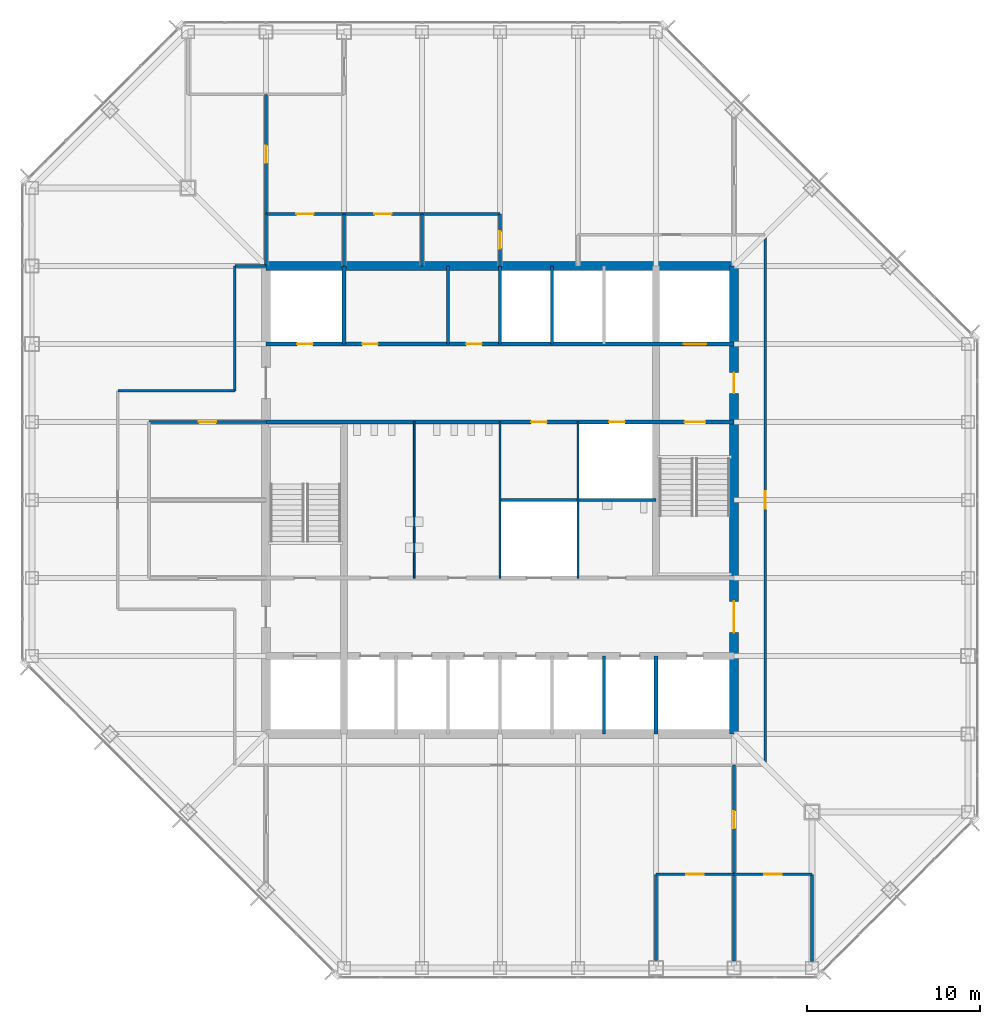
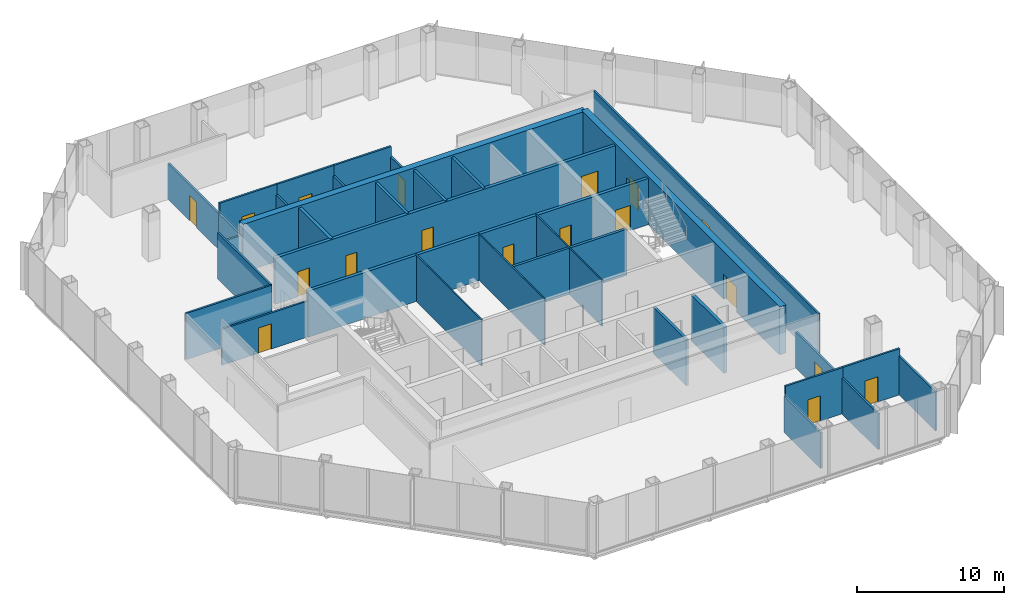
# One storey, part 9 of 12: 33 walls, 18 doors, 18 openings.
"""IFC4 building model written with IfcOpenShell, lengths in metres."""

from ifc_helpers import new_model, si_unit, direction, frame, frame_2d, origin, place, context, subcontext, project, spatial, rectangle, extrude, material, layer, layer_set, type_object, element, fill, save


model = new_model("IFC4")

# Units and contexts
model_context = context("Model", 3, precision=1e-05, world=origin(), true_north=direction((0.0, 1.0)))
body_context = subcontext(model_context, "Body", "Model", "MODEL_VIEW")
ifc_project = project(units=[si_unit("LENGTHUNIT", "METRE"), si_unit("AREAUNIT", "SQUARE_METRE"), si_unit("VOLUMEUNIT", "CUBIC_METRE"), si_unit("PLANEANGLEUNIT", "RADIAN"), si_unit("MASSUNIT", "GRAM", prefix="KILO")], contexts=[model_context])

# Site, building, storey
site_placement = place(None, origin())
site = spatial("IfcSite", under=ifc_project, at=site_placement, CompositionType="ELEMENT")
building_placement = place(site_placement, origin())
building = spatial("IfcBuilding", under=site, at=building_placement, Name="Corais Broadcast Tower", CompositionType="ELEMENT")
storey_placement = place(building_placement, frame((0.0, 0.0, 131.60009765625)))
storey = spatial("IfcBuildingStorey", under=building, at=storey_placement, Name="L29", CompositionType="ELEMENT", Elevation=131.60009765625)

# Walls
ifc_material_1 = material(Name="Concrete blockwork class A, grouted, two-hour", Category="masonry")
ifc_layer_1 = layer(ifc_material_1, 0.25)
ifc_layer_set_1 = layer_set([ifc_layer_1], Name="Concrete blockwork class A, grouted, two-hour")
wall_type_1 = type_object("IfcWallType", Name="Core lobby wall 250", PredefinedType="SOLIDWALL", material=ifc_layer_set_1)
for number, where, z_axis, x_axis, name in (
    (1, (18.0, 36.0, 0.0), (0.0, 0.0, 1.0), (0.0, 1.0, 0.0), "CL2 core shaft wall X18B L29"),
    (2, (36.0, 13.5, 0.0), (0.0, 0.0, 1.0), (0.0, 1.0, 0.0), "CL2 core shaft wall X36A L29"),
):
    element("IfcWall", number, at=place(storey_placement, frame(where, z_axis=z_axis, x_axis=x_axis)), inside=storey, type_object=wall_type_1, Name=name, PredefinedType="SOLIDWALL", context=body_context, shape_type="SweptSolid", body=[
        extrude(rectangle(XDim=4.5, YDim=0.25, at=frame_2d((2.25, 0.0))), origin(), (0.0, 0.0, 1.0), 3.83984375),
    ])

# Wall, openings, doors
wall_1_placement = place(storey_placement, frame((13.5, 31.5, 0.0), z_axis=(0.0, 0.0, 1.0), x_axis=(1.0, 0.0, 0.0)))
wall_1 = element("IfcWall", 3, at=wall_1_placement, inside=storey, type_object=wall_type_1, Name="CL2 core lobby wall Y315 L29", PredefinedType="SOLIDWALL", context=body_context, shape_type="SweptSolid", body=[
    extrude(rectangle(XDim=27.0, YDim=0.25, at=frame_2d((13.5, 0.0))), origin(), (0.0, 0.0, 1.0), 3.83984375),
])
opening_1_placement = place(wall_1_placement, frame((24.14990234375, 0.0, 0.0)))
opening_1 = element("IfcOpeningElement", 4, at=opening_1_placement, cuts=wall_1, Name="Opening FD1", PredefinedType="OPENING", context=body_context, shape_type="SweptSolid", body=[
    extrude(rectangle(XDim=1.199951171875, YDim=2.10009765625, at=frame_2d((0.60009765625, 1.050048828125))), frame((0.0, 0.135009765625, 0.0), z_axis=(0.0, -1.0, 0.0), x_axis=(1.0, 0.0, 0.0)), (0.0, 0.0, 1.0), 0.27001953125),
])
opening_2_placement = place(wall_1_placement, frame((15.300048828125, 0.0, 0.0)))
opening_2 = element("IfcOpeningElement", 5, at=opening_2_placement, cuts=wall_1, Name="Opening RD1", PredefinedType="OPENING", context=body_context, shape_type="SweptSolid", body=[
    extrude(rectangle(XDim=0.89990234375, YDim=2.10009765625, at=frame_2d((0.449951171875, 1.050048828125))), frame((0.0, 0.135009765625, 0.0), z_axis=(0.0, -1.0, 0.0), x_axis=(1.0, 0.0, 0.0)), (0.0, 0.0, 1.0), 0.27001953125),
])
opening_3_placement = place(wall_1_placement, frame((19.800048828125, 0.0, 0.0)))
opening_3 = element("IfcOpeningElement", 6, at=opening_3_placement, cuts=wall_1, Name="Opening RD1", PredefinedType="OPENING", context=body_context, shape_type="SweptSolid", body=[
    extrude(rectangle(XDim=0.89990234375, YDim=2.10009765625, at=frame_2d((0.449951171875, 1.050048828125))), frame((0.0, 0.135009765625, 0.0), z_axis=(0.0, -1.0, 0.0), x_axis=(1.0, 0.0, 0.0)), (0.0, 0.0, 1.0), 0.27001953125),
])
ifc_material_2 = material(Name="Steel fire door", Category="steel")
door_type_1 = type_object("IfcDoorType", Name="Fire door 1200x2100", OperationType="SINGLE_SWING_LEFT", PredefinedType="DOOR", material=ifc_material_2)
door_1_placement = place(opening_1_placement, origin())
door_1 = element("IfcDoor", 7, at=door_1_placement, inside=storey, type_object=door_type_1, Name="FD1 stair B door L29", OperationType="SINGLE_SWING_RIGHT", OverallHeight=2.10009765625, OverallWidth=1.199951171875, PredefinedType="DOOR", context=body_context, shape_type="SweptSolid", body=[
    extrude(rectangle(XDim=1.199951171875, YDim=2.10009765625, at=frame_2d((0.60009765625, 1.050048828125))), frame((0.0, 0.02490234375, 0.0), z_axis=(0.0, -1.0, 0.0), x_axis=(1.0, 0.0, 0.0)), (0.0, 0.0, 1.0), 0.050048828125),
])
fill(opening_1, door_1)
ifc_material_3 = material(Name="Steel fire door", Category="steel")
door_type_2 = type_object("IfcDoorType", Name="Riser door 900x2100", OperationType="SINGLE_SWING_LEFT", PredefinedType="DOOR", material=ifc_material_3)
door_2_placement = place(opening_2_placement, origin())
door_2 = element("IfcDoor", 8, at=door_2_placement, inside=storey, type_object=door_type_2, Name="RD1 vending room door L29", OperationType="SINGLE_SWING_RIGHT", OverallHeight=2.10009765625, OverallWidth=0.89990234375, PredefinedType="DOOR", context=body_context, shape_type="SweptSolid", body=[
    extrude(rectangle(XDim=0.89990234375, YDim=2.10009765625, at=frame_2d((0.449951171875, 1.050048828125))), frame((0.0, 0.02490234375, 0.0), z_axis=(0.0, -1.0, 0.0), x_axis=(1.0, 0.0, 0.0)), (0.0, 0.0, 1.0), 0.050048828125),
])
fill(opening_2, door_2)
door_3_placement = place(opening_3_placement, origin())
door_3 = element("IfcDoor", 9, at=door_3_placement, inside=storey, type_object=door_type_2, Name="RD1 riser door L29", OperationType="SINGLE_SWING_RIGHT", OverallHeight=2.10009765625, OverallWidth=0.89990234375, PredefinedType="DOOR", context=body_context, shape_type="SweptSolid", body=[
    extrude(rectangle(XDim=0.89990234375, YDim=2.10009765625, at=frame_2d((0.449951171875, 1.050048828125))), frame((0.0, 0.02490234375, 0.0), z_axis=(0.0, -1.0, 0.0), x_axis=(1.0, 0.0, 0.0)), (0.0, 0.0, 1.0), 0.050048828125),
])
fill(opening_3, door_3)

ifc_material_4 = material(Name="Concrete C50/60", Category="concrete")
ifc_layer_2 = layer(ifc_material_4, 0.5)
ifc_layer_set_2 = layer_set([ifc_layer_2], Name="Concrete C50/60")
wall_type_2 = type_object("IfcWallType", Name="Core wall 500", PredefinedType="SHEAR", material=ifc_layer_set_2)
wall_2_placement = place(storey_placement, frame((40.5, 13.5, 0.0), z_axis=(0.0, 0.0, 1.0), x_axis=(0.0, 1.0, 0.0)))
wall_2 = element("IfcWall", 10, at=wall_2_placement, inside=storey, type_object=wall_type_2, Name="CR500 core wall E L29", PredefinedType="SHEAR", context=body_context, shape_type="SweptSolid", body=[
    extrude(rectangle(XDim=27.0, YDim=0.5, at=frame_2d((13.5, 0.0))), origin(), (0.0, 0.0, 1.0), 4.0),
])
opening_4_placement = place(wall_2_placement, frame((5.85009765625, 0.0, 0.0)))
opening_4 = element("IfcOpeningElement", 11, at=opening_4_placement, cuts=wall_2, Name="Opening FD2", PredefinedType="OPENING", context=body_context, shape_type="SweptSolid", body=[
    extrude(rectangle(XDim=1.800048828125, YDim=2.10009765625, at=frame_2d((0.89990234375, 1.050048828125))), frame((0.0, 0.260009765625, 0.0), z_axis=(0.0, -1.0, 0.0), x_axis=(1.0, 0.0, 0.0)), (0.0, 0.0, 1.0), 0.52001953125),
])
opening_5_placement = place(wall_2_placement, frame((19.64990234375, 0.0, 0.0)))
opening_5 = element("IfcOpeningElement", 12, at=opening_5_placement, cuts=wall_2, Name="Opening FD1", PredefinedType="OPENING", context=body_context, shape_type="SweptSolid", body=[
    extrude(rectangle(XDim=1.199951171875, YDim=2.10009765625, at=frame_2d((0.60009765625, 1.050048828125))), frame((0.0, 0.260009765625, 0.0), z_axis=(0.0, -1.0, 0.0), x_axis=(1.0, 0.0, 0.0)), (0.0, 0.0, 1.0), 0.52001953125),
])
door_4_placement = place(opening_5_placement, origin())
door_4 = element("IfcDoor", 13, at=door_4_placement, inside=storey, type_object=door_type_1, Name="FD1 fire lobby B door L29", OperationType="SINGLE_SWING_RIGHT", OverallHeight=2.10009765625, OverallWidth=1.199951171875, PredefinedType="DOOR", context=body_context, shape_type="SweptSolid", body=[
    extrude(rectangle(XDim=1.199951171875, YDim=2.10009765625, at=frame_2d((0.60009765625, 1.050048828125))), frame((0.0, 0.02490234375, 0.0), z_axis=(0.0, -1.0, 0.0), x_axis=(1.0, 0.0, 0.0)), (0.0, 0.0, 1.0), 0.050048828125),
])
fill(opening_5, door_4)
ifc_material_5 = material(Name="Steel fire door", Category="steel")
door_type_3 = type_object("IfcDoorType", Name="Fire door pair 1800x2100", OperationType="DOUBLE_DOOR_SINGLE_SWING", PredefinedType="DOOR", material=ifc_material_5)
door_5_placement = place(opening_4_placement, origin())
door_5 = element("IfcDoor", 14, at=door_5_placement, inside=storey, type_object=door_type_3, Name="FD2 lift lobby door L29", OperationType="SINGLE_SWING_LEFT", OverallHeight=2.10009765625, OverallWidth=1.800048828125, PredefinedType="DOOR", context=body_context, shape_type="SweptSolid", body=[
    extrude(rectangle(XDim=1.800048828125, YDim=2.10009765625, at=frame_2d((0.89990234375, 1.050048828125))), frame((0.0, 0.02490234375, 0.0), z_axis=(0.0, -1.0, 0.0), x_axis=(1.0, 0.0, 0.0)), (0.0, 0.0, 1.0), 0.050048828125),
])
fill(opening_4, door_5)

# Wall
wall_3_placement = place(storey_placement, frame((40.5, 40.5, 0.0), z_axis=(0.0, 0.0, 1.0), x_axis=(-1.0, 0.0, 0.0)))
element("IfcWall", 15, at=wall_3_placement, inside=storey, type_object=wall_type_2, Name="CR500 core wall N L29", PredefinedType="SHEAR", context=body_context, shape_type="SweptSolid", body=[
    extrude(rectangle(XDim=27.0, YDim=0.5, at=frame_2d((13.5, 0.0))), origin(), (0.0, 0.0, 1.0), 4.0),
])

# Wall, openings, doors
ifc_material_6 = material(Name="Concrete blockwork class A, grouted, four-hour", Category="masonry")
ifc_layer_3 = layer(ifc_material_6, 0.25)
ifc_layer_set_3 = layer_set([ifc_layer_3], Name="Concrete blockwork class A, grouted, four-hour")
wall_type_3 = type_object("IfcWallType", Name="Emergency lift shaft wall 250", PredefinedType="SOLIDWALL", material=ifc_layer_set_3)
wall_4_placement = place(storey_placement, frame((13.5, 36.0, 0.0), z_axis=(0.0, 0.0, 1.0), x_axis=(1.0, 0.0, 0.0)))
wall_4 = element("IfcWall", 16, at=wall_4_placement, inside=storey, type_object=wall_type_3, Name="LS2 core lobby wall Y36 L29", PredefinedType="SOLIDWALL", context=body_context, shape_type="SweptSolid", body=[
    extrude(rectangle(XDim=27.0, YDim=0.25, at=frame_2d((13.5, 0.0))), origin(), (0.0, 0.0, 1.0), 3.83984375),
])
opening_6_placement = place(wall_4_placement, frame((1.800048828125, 0.0, 0.0)))
opening_6 = element("IfcOpeningElement", 17, at=opening_6_placement, cuts=wall_4, Name="Opening RD1", PredefinedType="OPENING", context=body_context, shape_type="SweptSolid", body=[
    extrude(rectangle(XDim=0.89990234375, YDim=2.10009765625, at=frame_2d((0.449951171875, 1.050048828125))), frame((0.0, 0.135009765625, 0.0), z_axis=(0.0, -1.0, 0.0), x_axis=(1.0, 0.0, 0.0)), (0.0, 0.0, 1.0), 0.27001953125),
])
opening_7_placement = place(wall_4_placement, frame((5.550048828125, 0.0, 0.0)))
opening_7 = element("IfcOpeningElement", 18, at=opening_7_placement, cuts=wall_4, Name="Opening RD1", PredefinedType="OPENING", context=body_context, shape_type="SweptSolid", body=[
    extrude(rectangle(XDim=0.89990234375, YDim=2.10009765625, at=frame_2d((0.449951171875, 1.050048828125))), frame((0.0, 0.135009765625, 0.0), z_axis=(0.0, -1.0, 0.0), x_axis=(1.0, 0.0, 0.0)), (0.0, 0.0, 1.0), 0.27001953125),
])
opening_8_placement = place(wall_4_placement, frame((11.550048828125, 0.0, 0.0)))
opening_8 = element("IfcOpeningElement", 19, at=opening_8_placement, cuts=wall_4, Name="Opening RD1", PredefinedType="OPENING", context=body_context, shape_type="SweptSolid", body=[
    extrude(rectangle(XDim=0.89990234375, YDim=2.10009765625, at=frame_2d((0.449951171875, 1.050048828125))), frame((0.0, 0.135009765625, 0.0), z_axis=(0.0, -1.0, 0.0), x_axis=(1.0, 0.0, 0.0)), (0.0, 0.0, 1.0), 0.27001953125),
])
opening_9_placement = place(wall_4_placement, frame((24.10009765625, 0.0, 0.0)))
opening_9 = element("IfcOpeningElement", 20, at=opening_9_placement, cuts=wall_4, Name="Opening LD2", PredefinedType="OPENING", context=body_context, shape_type="SweptSolid", body=[
    extrude(rectangle(XDim=1.300048828125, YDim=2.199951171875, at=frame_2d((0.64990234375, 1.10009765625))), frame((0.0, 0.135009765625, 0.0), z_axis=(0.0, -1.0, 0.0), x_axis=(1.0, 0.0, 0.0)), (0.0, 0.0, 1.0), 0.27001953125),
])
ifc_material_7 = material(Name="Stainless steel lift door", Category="steel")
door_type_4 = type_object("IfcDoorType", Name="Lift landing door 1300x2200", OperationType="SLIDING_TO_LEFT", PredefinedType="DOOR", material=ifc_material_7)
door_6_placement = place(opening_9_placement, origin())
door_6 = element("IfcDoor", 21, at=door_6_placement, inside=storey, type_object=door_type_4, Name="LD2 FL2 landing door L29", OperationType="SLIDING_TO_LEFT", OverallHeight=2.199951171875, OverallWidth=1.300048828125, PredefinedType="DOOR", context=body_context, shape_type="SweptSolid", body=[
    extrude(rectangle(XDim=1.300048828125, YDim=2.199951171875, at=frame_2d((0.64990234375, 1.10009765625))), frame((0.0, 0.02490234375, 0.0), z_axis=(0.0, -1.0, 0.0), x_axis=(1.0, 0.0, 0.0)), (0.0, 0.0, 1.0), 0.050048828125),
])
fill(opening_9, door_6)
door_7_placement = place(opening_6_placement, origin())
door_7 = element("IfcDoor", 22, at=door_7_placement, inside=storey, type_object=door_type_2, Name="RD1 riser door L29", OperationType="SINGLE_SWING_LEFT", OverallHeight=2.10009765625, OverallWidth=0.89990234375, PredefinedType="DOOR", context=body_context, shape_type="SweptSolid", body=[
    extrude(rectangle(XDim=0.89990234375, YDim=2.10009765625, at=frame_2d((0.449951171875, 1.050048828125))), frame((0.0, 0.02490234375, 0.0), z_axis=(0.0, -1.0, 0.0), x_axis=(1.0, 0.0, 0.0)), (0.0, 0.0, 1.0), 0.050048828125),
])
fill(opening_6, door_7)
door_8_placement = place(opening_7_placement, origin())
door_8 = element("IfcDoor", 23, at=door_8_placement, inside=storey, type_object=door_type_2, Name="RD1 stationery store door L29", OperationType="SINGLE_SWING_LEFT", OverallHeight=2.10009765625, OverallWidth=0.89990234375, PredefinedType="DOOR", context=body_context, shape_type="SweptSolid", body=[
    extrude(rectangle(XDim=0.89990234375, YDim=2.10009765625, at=frame_2d((0.449951171875, 1.050048828125))), frame((0.0, 0.02490234375, 0.0), z_axis=(0.0, -1.0, 0.0), x_axis=(1.0, 0.0, 0.0)), (0.0, 0.0, 1.0), 0.050048828125),
])
fill(opening_7, door_8)
door_9_placement = place(opening_8_placement, origin())
door_9 = element("IfcDoor", 24, at=door_9_placement, inside=storey, type_object=door_type_2, Name="RD1 av equipment room door L29", OperationType="SINGLE_SWING_LEFT", OverallHeight=2.10009765625, OverallWidth=0.89990234375, PredefinedType="DOOR", context=body_context, shape_type="SweptSolid", body=[
    extrude(rectangle(XDim=0.89990234375, YDim=2.10009765625, at=frame_2d((0.449951171875, 1.050048828125))), frame((0.0, 0.02490234375, 0.0), z_axis=(0.0, -1.0, 0.0), x_axis=(1.0, 0.0, 0.0)), (0.0, 0.0, 1.0), 0.050048828125),
])
fill(opening_8, door_9)

# Wall, opening, door
ifc_material_8 = material(Name="Gypsum board on steel studs", Category="steel")
ifc_layer_4 = layer(ifc_material_8, 0.14990234375)
ifc_layer_set_4 = layer_set([ifc_layer_4], Name="Gypsum board on steel studs")
wall_type_4 = type_object("IfcWallType", Name="Partition 150", PredefinedType="PARTITIONING", material=ifc_layer_set_4)
wall_5_placement = place(storey_placement, frame((42.300048828125, 11.699951171875, 0.0), z_axis=(0.0, 0.0, 1.0), x_axis=(0.0, 1.0, 0.0)))
wall_5 = element("IfcWall", 25, at=wall_5_placement, inside=storey, type_object=wall_type_4, Name="IW3 corridor wall L29", PredefinedType="PARTITIONING", context=body_context, shape_type="SweptSolid", body=[
    extrude(rectangle(XDim=30.60009765625, YDim=0.14990234375, at=frame_2d((15.300048828125, 0.0))), origin(), (0.0, 0.0, 1.0), 3.83984375),
])
opening_10_placement = place(wall_5_placement, frame((14.800048828125, 0.0, 0.0)))
opening_10 = element("IfcOpeningElement", 26, at=opening_10_placement, cuts=wall_5, Name="Opening D1", PredefinedType="OPENING", context=body_context, shape_type="SweptSolid", body=[
    extrude(rectangle(XDim=1.0, YDim=2.10009765625, at=frame_2d((0.5, 1.050048828125))), frame((0.0, 0.0849609375, 0.0), z_axis=(0.0, -1.0, 0.0), x_axis=(1.0, 0.0, 0.0)), (0.0, 0.0, 1.0), 0.169921875),
])
ifc_material_9 = material(Name="Timber door", Category="wood")
door_type_5 = type_object("IfcDoorType", Name="Single door 1000x2100", OperationType="SINGLE_SWING_LEFT", PredefinedType="DOOR", material=ifc_material_9)
door_10_placement = place(opening_10_placement, origin())
door_10 = element("IfcDoor", 27, at=door_10_placement, inside=storey, type_object=door_type_5, Name="D1 workplace door L29", OperationType="SINGLE_SWING_LEFT", OverallHeight=2.10009765625, OverallWidth=1.0, PredefinedType="DOOR", context=body_context, shape_type="SweptSolid", body=[
    extrude(rectangle(XDim=1.0, YDim=2.10009765625, at=frame_2d((0.5, 1.050048828125))), frame((0.0, 0.02490234375, 0.0), z_axis=(0.0, -1.0, 0.0), x_axis=(1.0, 0.0, 0.0)), (0.0, 0.0, 1.0), 0.050048828125),
])
fill(opening_10, door_10)

# Walls
wall_6_placement = place(storey_placement, frame((11.699951171875, 40.5, 0.0), z_axis=(0.0, 0.0, 1.0), x_axis=(0.0, -1.0, 0.0)))
element("IfcWall", 28, at=wall_6_placement, inside=storey, type_object=wall_type_4, Name="IW3 corridor wall L29", PredefinedType="PARTITIONING", context=body_context, shape_type="SweptSolid", body=[
    extrude(rectangle(XDim=7.199951171875, YDim=0.14990234375, at=frame_2d((3.60009765625, 0.0))), origin(), (0.0, 0.0, 1.0), 3.83984375),
])
wall_7_placement = place(storey_placement, frame((11.699951171875, 33.300048828125, 0.0), z_axis=(0.0, 0.0, 1.0), x_axis=(-1.0, 0.0, 0.0)))
element("IfcWall", 29, at=wall_7_placement, inside=storey, type_object=wall_type_4, Name="IW3 corridor wall L29", PredefinedType="PARTITIONING", context=body_context, shape_type="SweptSolid", body=[
    extrude(rectangle(XDim=6.75, YDim=0.14990234375, at=frame_2d((3.375, 0.0))), origin(), (0.0, 0.0, 1.0), 3.83984375),
])
wall_8_placement = place(storey_placement, frame((13.5, 40.5, 0.0), z_axis=(0.0, 0.0, 1.0), x_axis=(-1.0, 0.0, 0.0)))
element("IfcWall", 30, at=wall_8_placement, inside=storey, type_object=wall_type_4, Name="IW3 corridor wall L29", PredefinedType="PARTITIONING", context=body_context, shape_type="SweptSolid", body=[
    extrude(rectangle(XDim=1.800048828125, YDim=0.14990234375, at=frame_2d((0.89990234375, 0.0))), origin(), (0.0, 0.0, 1.0), 2.989013671875),
])

# Wall, opening, door
wall_9_placement = place(storey_placement, frame((13.5, 31.5, 0.0), z_axis=(0.0, 0.0, 1.0), x_axis=(-1.0, 0.0, 0.0)))
wall_9 = element("IfcWall", 31, at=wall_9_placement, inside=storey, type_object=wall_type_4, Name="IW3 partition L29", PredefinedType="PARTITIONING", context=body_context, shape_type="SweptSolid", body=[
    extrude(rectangle(XDim=6.75, YDim=0.14990234375, at=frame_2d((3.375, 0.0))), origin(), (0.0, 0.0, 1.0), 2.989013671875),
])
opening_11_placement = place(wall_9_placement, frame((2.875, 0.0, 0.0)))
opening_11 = element("IfcOpeningElement", 32, at=opening_11_placement, cuts=wall_9, Name="Opening D1", PredefinedType="OPENING", context=body_context, shape_type="SweptSolid", body=[
    extrude(rectangle(XDim=1.0, YDim=2.10009765625, at=frame_2d((0.5, 1.050048828125))), frame((0.0, 0.0849609375, 0.0), z_axis=(0.0, -1.0, 0.0), x_axis=(1.0, 0.0, 0.0)), (0.0, 0.0, 1.0), 0.169921875),
])
door_11_placement = place(opening_11_placement, origin())
door_11 = element("IfcDoor", 33, at=door_11_placement, inside=storey, type_object=door_type_5, Name="D1 Meeting room door", OperationType="SINGLE_SWING_LEFT", OverallHeight=2.10009765625, OverallWidth=1.0, PredefinedType="DOOR", context=body_context, shape_type="SweptSolid", body=[
    extrude(rectangle(XDim=1.0, YDim=2.10009765625, at=frame_2d((0.5, 1.050048828125))), frame((0.0, 0.02490234375, 0.0), z_axis=(0.0, -1.0, 0.0), x_axis=(1.0, 0.0, 0.0)), (0.0, 0.0, 1.0), 0.050048828125),
])
fill(opening_11, door_11)

# Wall
wall_10_placement = place(storey_placement, frame((40.5, 0.409912109375, 0.0), z_axis=(0.0, 0.0, 1.0), x_axis=(0.0, 1.0, 0.0)))
element("IfcWall", 34, at=wall_10_placement, inside=storey, type_object=wall_type_4, Name="IW3 partition L29", PredefinedType="PARTITIONING", context=body_context, shape_type="SweptSolid", body=[
    extrude(rectangle(XDim=4.989990234375, YDim=0.14990234375, at=frame_2d((2.4951171875, 0.0))), origin(), (0.0, 0.0, 1.0), 2.989013671875),
])

# Wall, opening, door
wall_11_placement = place(storey_placement, frame((40.5, 5.39990234375, 0.0), z_axis=(0.0, 0.0, 1.0), x_axis=(-1.0, 0.0, 0.0)))
wall_11 = element("IfcWall", 35, at=wall_11_placement, inside=storey, type_object=wall_type_4, Name="IW3 partition L29", PredefinedType="PARTITIONING", context=body_context, shape_type="SweptSolid", body=[
    extrude(rectangle(XDim=4.5, YDim=0.14990234375, at=frame_2d((2.25, 0.0))), origin(), (0.0, 0.0, 1.0), 3.83984375),
])
opening_12_placement = place(wall_11_placement, frame((1.75, 0.0, 0.0)))
opening_12 = element("IfcOpeningElement", 36, at=opening_12_placement, cuts=wall_11, Name="Opening D1", PredefinedType="OPENING", context=body_context, shape_type="SweptSolid", body=[
    extrude(rectangle(XDim=1.0, YDim=2.10009765625, at=frame_2d((0.5, 1.050048828125))), frame((0.0, 0.0849609375, 0.0), z_axis=(0.0, -1.0, 0.0), x_axis=(1.0, 0.0, 0.0)), (0.0, 0.0, 1.0), 0.169921875),
])
door_12_placement = place(opening_12_placement, origin())
door_12 = element("IfcDoor", 37, at=door_12_placement, inside=storey, type_object=door_type_5, Name="D1 Office door", OperationType="SINGLE_SWING_LEFT", OverallHeight=2.10009765625, OverallWidth=1.0, PredefinedType="DOOR", context=body_context, shape_type="SweptSolid", body=[
    extrude(rectangle(XDim=1.0, YDim=2.10009765625, at=frame_2d((0.5, 1.050048828125))), frame((0.0, 0.02490234375, 0.0), z_axis=(0.0, -1.0, 0.0), x_axis=(1.0, 0.0, 0.0)), (0.0, 0.0, 1.0), 0.050048828125),
])
fill(opening_12, door_12)

# Walls
wall_12_placement = place(storey_placement, frame((36.0, 5.39990234375, 0.0), z_axis=(0.0, 0.0, 1.0), x_axis=(0.0, -1.0, 0.0)))
element("IfcWall", 38, at=wall_12_placement, inside=storey, type_object=wall_type_4, Name="IW3 partition L29", PredefinedType="PARTITIONING", context=body_context, shape_type="SweptSolid", body=[
    extrude(rectangle(XDim=4.96484375, YDim=0.14990234375, at=frame_2d((2.482421875, 0.0))), origin(), (0.0, 0.0, 1.0), 2.989013671875),
])
wall_13_placement = place(storey_placement, frame((45.0, 0.385009765625, 0.0), z_axis=(0.0, 0.0, 1.0), x_axis=(0.0, 1.0, 0.0)))
element("IfcWall", 39, at=wall_13_placement, inside=storey, type_object=wall_type_4, Name="IW3 partition L29", PredefinedType="PARTITIONING", context=body_context, shape_type="SweptSolid", body=[
    extrude(rectangle(XDim=5.014892578125, YDim=0.14990234375, at=frame_2d((2.50732421875, 0.0))), origin(), (0.0, 0.0, 1.0), 3.22900390625),
])

# Wall, opening, door
wall_14_placement = place(storey_placement, frame((45.0, 5.39990234375, 0.0), z_axis=(0.0, 0.0, 1.0), x_axis=(-1.0, 0.0, 0.0)))
wall_14 = element("IfcWall", 40, at=wall_14_placement, inside=storey, type_object=wall_type_4, Name="IW3 partition L29", PredefinedType="PARTITIONING", context=body_context, shape_type="SweptSolid", body=[
    extrude(rectangle(XDim=4.5, YDim=0.14990234375, at=frame_2d((2.25, 0.0))), origin(), (0.0, 0.0, 1.0), 3.83984375),
])
opening_13_placement = place(wall_14_placement, frame((1.75, 0.0, 0.0)))
opening_13 = element("IfcOpeningElement", 41, at=opening_13_placement, cuts=wall_14, Name="Opening D1", PredefinedType="OPENING", context=body_context, shape_type="SweptSolid", body=[
    extrude(rectangle(XDim=1.0, YDim=2.10009765625, at=frame_2d((0.5, 1.050048828125))), frame((0.0, 0.0849609375, 0.0), z_axis=(0.0, -1.0, 0.0), x_axis=(1.0, 0.0, 0.0)), (0.0, 0.0, 1.0), 0.169921875),
])
door_13_placement = place(opening_13_placement, origin())
door_13 = element("IfcDoor", 42, at=door_13_placement, inside=storey, type_object=door_type_5, Name="D1 Office door", OperationType="SINGLE_SWING_LEFT", OverallHeight=2.10009765625, OverallWidth=1.0, PredefinedType="DOOR", context=body_context, shape_type="SweptSolid", body=[
    extrude(rectangle(XDim=1.0, YDim=2.10009765625, at=frame_2d((0.5, 1.050048828125))), frame((0.0, 0.02490234375, 0.0), z_axis=(0.0, -1.0, 0.0), x_axis=(1.0, 0.0, 0.0)), (0.0, 0.0, 1.0), 0.050048828125),
])
fill(opening_13, door_13)

# Wall
wall_15_placement = place(storey_placement, frame((18.0, 40.5, 0.0), z_axis=(0.0, 0.0, 1.0), x_axis=(0.0, 1.0, 0.0)))
element("IfcWall", 43, at=wall_15_placement, inside=storey, type_object=wall_type_4, Name="IW3 partition L29", PredefinedType="PARTITIONING", context=body_context, shape_type="SweptSolid", body=[
    extrude(rectangle(XDim=3.0, YDim=0.14990234375, at=frame_2d((1.5, 0.0))), origin(), (0.0, 0.0, 1.0), 2.989013671875),
])

# Wall, opening, door
wall_16_placement = place(storey_placement, frame((18.0, 43.5, 0.0), z_axis=(0.0, 0.0, 1.0), x_axis=(-1.0, 0.0, 0.0)))
wall_16 = element("IfcWall", 44, at=wall_16_placement, inside=storey, type_object=wall_type_4, Name="IW3 partition L29", PredefinedType="PARTITIONING", context=body_context, shape_type="SweptSolid", body=[
    extrude(rectangle(XDim=4.5, YDim=0.14990234375, at=frame_2d((2.25, 0.0))), origin(), (0.0, 0.0, 1.0), 3.83984375),
])
opening_14_placement = place(wall_16_placement, frame((1.75, 0.0, 0.0)))
opening_14 = element("IfcOpeningElement", 45, at=opening_14_placement, cuts=wall_16, Name="Opening D1", PredefinedType="OPENING", context=body_context, shape_type="SweptSolid", body=[
    extrude(rectangle(XDim=1.0, YDim=2.10009765625, at=frame_2d((0.5, 1.050048828125))), frame((0.0, 0.0849609375, 0.0), z_axis=(0.0, -1.0, 0.0), x_axis=(1.0, 0.0, 0.0)), (0.0, 0.0, 1.0), 0.169921875),
])
door_14_placement = place(opening_14_placement, origin())
door_14 = element("IfcDoor", 46, at=door_14_placement, inside=storey, type_object=door_type_5, Name="D1 Quiet room door", OperationType="SINGLE_SWING_LEFT", OverallHeight=2.10009765625, OverallWidth=1.0, PredefinedType="DOOR", context=body_context, shape_type="SweptSolid", body=[
    extrude(rectangle(XDim=1.0, YDim=2.10009765625, at=frame_2d((0.5, 1.050048828125))), frame((0.0, 0.02490234375, 0.0), z_axis=(0.0, -1.0, 0.0), x_axis=(1.0, 0.0, 0.0)), (0.0, 0.0, 1.0), 0.050048828125),
])
fill(opening_14, door_14)

# Walls
for number, where, z_axis, x_axis, name in (
    (47, (13.5, 43.5, 0.0), (0.0, 0.0, 1.0), (0.0, -1.0, 0.0), "IW3 partition L29"),
    (48, (22.5, 40.5, 0.0), (0.0, 0.0, 1.0), (0.0, 1.0, 0.0), "IW3 partition L29"),
):
    element("IfcWall", number, at=place(storey_placement, frame(where, z_axis=z_axis, x_axis=x_axis)), inside=storey, type_object=wall_type_4, Name=name, PredefinedType="PARTITIONING", context=body_context, shape_type="SweptSolid", body=[
        extrude(rectangle(XDim=3.0, YDim=0.14990234375, at=frame_2d((1.5, 0.0))), origin(), (0.0, 0.0, 1.0), 2.989013671875),
    ])

# Wall, opening, door
wall_17_placement = place(storey_placement, frame((22.5, 43.5, 0.0), z_axis=(0.0, 0.0, 1.0), x_axis=(-1.0, 0.0, 0.0)))
wall_17 = element("IfcWall", 49, at=wall_17_placement, inside=storey, type_object=wall_type_4, Name="IW3 partition L29", PredefinedType="PARTITIONING", context=body_context, shape_type="SweptSolid", body=[
    extrude(rectangle(XDim=4.5, YDim=0.14990234375, at=frame_2d((2.25, 0.0))), origin(), (0.0, 0.0, 1.0), 3.83984375),
])
opening_15_placement = place(wall_17_placement, frame((1.75, 0.0, 0.0)))
opening_15 = element("IfcOpeningElement", 50, at=opening_15_placement, cuts=wall_17, Name="Opening D1", PredefinedType="OPENING", context=body_context, shape_type="SweptSolid", body=[
    extrude(rectangle(XDim=1.0, YDim=2.10009765625, at=frame_2d((0.5, 1.050048828125))), frame((0.0, 0.0849609375, 0.0), z_axis=(0.0, -1.0, 0.0), x_axis=(1.0, 0.0, 0.0)), (0.0, 0.0, 1.0), 0.169921875),
])
door_15_placement = place(opening_15_placement, origin())
door_15 = element("IfcDoor", 51, at=door_15_placement, inside=storey, type_object=door_type_5, Name="D1 Quiet room door", OperationType="SINGLE_SWING_LEFT", OverallHeight=2.10009765625, OverallWidth=1.0, PredefinedType="DOOR", context=body_context, shape_type="SweptSolid", body=[
    extrude(rectangle(XDim=1.0, YDim=2.10009765625, at=frame_2d((0.5, 1.050048828125))), frame((0.0, 0.02490234375, 0.0), z_axis=(0.0, -1.0, 0.0), x_axis=(1.0, 0.0, 0.0)), (0.0, 0.0, 1.0), 0.050048828125),
])
fill(opening_15, door_15)

wall_18_placement = place(storey_placement, frame((27.0, 40.5, 0.0), z_axis=(0.0, 0.0, 1.0), x_axis=(0.0, 1.0, 0.0)))
wall_18 = element("IfcWall", 52, at=wall_18_placement, inside=storey, type_object=wall_type_4, Name="IW3 partition L29", PredefinedType="PARTITIONING", context=body_context, shape_type="SweptSolid", body=[
    extrude(rectangle(XDim=3.0, YDim=0.14990234375, at=frame_2d((1.5, 0.0))), origin(), (0.0, 0.0, 1.0), 2.989013671875),
])
opening_16_placement = place(wall_18_placement, frame((1.0, 0.0, 0.0)))
opening_16 = element("IfcOpeningElement", 53, at=opening_16_placement, cuts=wall_18, Name="Opening D1", PredefinedType="OPENING", context=body_context, shape_type="SweptSolid", body=[
    extrude(rectangle(XDim=1.0, YDim=2.10009765625, at=frame_2d((0.5, 1.050048828125))), frame((0.0, 0.0849609375, 0.0), z_axis=(0.0, -1.0, 0.0), x_axis=(1.0, 0.0, 0.0)), (0.0, 0.0, 1.0), 0.169921875),
])
door_16_placement = place(opening_16_placement, origin())
door_16 = element("IfcDoor", 54, at=door_16_placement, inside=storey, type_object=door_type_5, Name="D1 Quiet room door", OperationType="SINGLE_SWING_LEFT", OverallHeight=2.10009765625, OverallWidth=1.0, PredefinedType="DOOR", context=body_context, shape_type="SweptSolid", body=[
    extrude(rectangle(XDim=1.0, YDim=2.10009765625, at=frame_2d((0.5, 1.050048828125))), frame((0.0, 0.02490234375, 0.0), z_axis=(0.0, -1.0, 0.0), x_axis=(1.0, 0.0, 0.0)), (0.0, 0.0, 1.0), 0.050048828125),
])
fill(opening_16, door_16)

# Wall
wall_19_placement = place(storey_placement, frame((27.0, 43.5, 0.0), z_axis=(0.0, 0.0, 1.0), x_axis=(-1.0, 0.0, 0.0)))
element("IfcWall", 55, at=wall_19_placement, inside=storey, type_object=wall_type_4, Name="IW3 partition L29", PredefinedType="PARTITIONING", context=body_context, shape_type="SweptSolid", body=[
    extrude(rectangle(XDim=4.5, YDim=0.14990234375, at=frame_2d((2.25, 0.0))), origin(), (0.0, 0.0, 1.0), 3.83984375),
])

# Wall, opening, door
wall_20_placement = place(storey_placement, frame((13.5, 43.5, 0.0), z_axis=(0.0, 0.0, 1.0), x_axis=(0.0, 1.0, 0.0)))
wall_20 = element("IfcWall", 56, at=wall_20_placement, inside=storey, type_object=wall_type_4, Name="IW3 partition L29", PredefinedType="PARTITIONING", context=body_context, shape_type="SweptSolid", body=[
    extrude(rectangle(XDim=6.89990234375, YDim=0.14990234375, at=frame_2d((3.449951171875, 0.0))), origin(), (0.0, 0.0, 1.0), 2.989013671875),
])
opening_17_placement = place(wall_20_placement, frame((2.949951171875, 0.0, 0.0)))
opening_17 = element("IfcOpeningElement", 57, at=opening_17_placement, cuts=wall_20, Name="Opening D1", PredefinedType="OPENING", context=body_context, shape_type="SweptSolid", body=[
    extrude(rectangle(XDim=1.0, YDim=2.10009765625, at=frame_2d((0.5, 1.050048828125))), frame((0.0, 0.0849609375, 0.0), z_axis=(0.0, -1.0, 0.0), x_axis=(1.0, 0.0, 0.0)), (0.0, 0.0, 1.0), 0.169921875),
])
door_17_placement = place(opening_17_placement, origin())
door_17 = element("IfcDoor", 58, at=door_17_placement, inside=storey, type_object=door_type_5, Name="D1 team room door L29", OperationType="SINGLE_SWING_LEFT", OverallHeight=2.10009765625, OverallWidth=1.0, PredefinedType="DOOR", context=body_context, shape_type="SweptSolid", body=[
    extrude(rectangle(XDim=1.0, YDim=2.10009765625, at=frame_2d((0.5, 1.050048828125))), frame((0.0, 0.02490234375, 0.0), z_axis=(0.0, -1.0, 0.0), x_axis=(1.0, 0.0, 0.0)), (0.0, 0.0, 1.0), 0.050048828125),
])
fill(opening_17, door_17)

wall_21_placement = place(storey_placement, frame((40.5, 5.39990234375, 0.0), z_axis=(0.0, 0.0, 1.0), x_axis=(0.0, 1.0, 0.0)))
wall_21 = element("IfcWall", 59, at=wall_21_placement, inside=storey, type_object=wall_type_4, Name="IW3 partition L29", PredefinedType="PARTITIONING", context=body_context, shape_type="SweptSolid", body=[
    extrude(rectangle(XDim=6.300048828125, YDim=0.14990234375, at=frame_2d((3.14990234375, 0.0))), origin(), (0.0, 0.0, 1.0), 2.989013671875),
])
opening_18_placement = place(wall_21_placement, frame((2.64990234375, 0.0, 0.0)))
opening_18 = element("IfcOpeningElement", 60, at=opening_18_placement, cuts=wall_21, Name="Opening D1", PredefinedType="OPENING", context=body_context, shape_type="SweptSolid", body=[
    extrude(rectangle(XDim=1.0, YDim=2.10009765625, at=frame_2d((0.5, 1.050048828125))), frame((0.0, 0.0849609375, 0.0), z_axis=(0.0, -1.0, 0.0), x_axis=(1.0, 0.0, 0.0)), (0.0, 0.0, 1.0), 0.169921875),
])
door_18_placement = place(opening_18_placement, origin())
door_18 = element("IfcDoor", 61, at=door_18_placement, inside=storey, type_object=door_type_5, Name="D1 team room door L29", OperationType="SINGLE_SWING_LEFT", OverallHeight=2.10009765625, OverallWidth=1.0, PredefinedType="DOOR", context=body_context, shape_type="SweptSolid", body=[
    extrude(rectangle(XDim=1.0, YDim=2.10009765625, at=frame_2d((0.5, 1.050048828125))), frame((0.0, 0.02490234375, 0.0), z_axis=(0.0, -1.0, 0.0), x_axis=(1.0, 0.0, 0.0)), (0.0, 0.0, 1.0), 0.050048828125),
])
fill(opening_18, door_18)

# Walls
ifc_material_10 = material(Name="Concrete blockwork class A, grouted, two-hour", Category="masonry")
ifc_layer_5 = layer(ifc_material_10, 0.199951171875)
ifc_layer_set_5 = layer_set([ifc_layer_5], Name="Concrete blockwork class A, grouted, two-hour")
wall_type_5 = type_object("IfcWallType", Name="Shaft wall 200", PredefinedType="PARTITIONING", material=ifc_layer_set_5)
for number, where, z_axis, x_axis, name in (
    (62, (24.0, 36.0, 0.0), (0.0, 0.0, 1.0), (0.0, 1.0, 0.0), "IW1 shaft wall L29"),
    (63, (27.0, 36.0, 0.0), (0.0, 0.0, 1.0), (0.0, 1.0, 0.0), "IW1 shaft wall L29"),
    (64, (30.0, 36.0, 0.0), (0.0, 0.0, 1.0), (0.0, 1.0, 0.0), "IW1 shaft wall L29"),
    (65, (33.0, 13.5, 0.0), (0.0, 0.0, 1.0), (0.0, 1.0, 0.0), "IW1 shaft wall L29"),
):
    element("IfcWall", number, at=place(storey_placement, frame(where, z_axis=z_axis, x_axis=x_axis)), inside=storey, type_object=wall_type_5, Name=name, PredefinedType="PARTITIONING", context=body_context, shape_type="SweptSolid", body=[
        extrude(rectangle(XDim=4.5, YDim=0.199951171875, at=frame_2d((2.25, 0.0))), origin(), (0.0, 0.0, 1.0), 3.83984375),
    ])
wall_22_placement = place(storey_placement, frame((27.0, 27.0, 0.0), z_axis=(0.0, 0.0, 1.0), x_axis=(1.0, 0.0, 0.0)))
element("IfcWall", 66, at=wall_22_placement, inside=storey, type_object=wall_type_5, Name="IW1 shaft wall L29", PredefinedType="PARTITIONING", context=body_context, shape_type="SweptSolid", body=[
    extrude(rectangle(XDim=9.0, YDim=0.199951171875, at=frame_2d((4.5, 0.0))), origin(), (0.0, 0.0, 1.0), 3.83984375),
])
ifc_material_11 = material(Name="Dense concrete blockwork class A, tiled both faces", Category="masonry")
ifc_layer_6 = layer(ifc_material_11, 0.10009765625)
ifc_layer_set_6 = layer_set([ifc_layer_6], Name="Dense concrete blockwork class A, tiled both faces")
wall_type_6 = type_object("IfcWallType", Name="Toilet wall 100", PredefinedType="PLUMBINGWALL", material=ifc_layer_set_6)
for number, where, z_axis, x_axis, name in (
    (67, (22.050048828125, 22.5, 0.0), (0.0, 0.0, 1.0), (0.0, 1.0, 0.0), "IW2 toilet wall L29"),
    (68, (27.0, 22.5, 0.0), (0.0, 0.0, 1.0), (0.0, 1.0, 0.0), "IW2 toilet wall L29"),
    (69, (31.5, 22.5, 0.0), (0.0, 0.0, 1.0), (0.0, 1.0, 0.0), "IW2 toilet wall L29"),
):
    element("IfcWall", number, at=place(storey_placement, frame(where, z_axis=z_axis, x_axis=x_axis)), inside=storey, type_object=wall_type_6, Name=name, PredefinedType="PLUMBINGWALL", context=body_context, shape_type="SweptSolid", body=[
        extrude(rectangle(XDim=9.0, YDim=0.10009765625, at=frame_2d((4.5, 0.0))), origin(), (0.0, 0.0, 1.0), 3.83984375),
    ])

save(model, "model.ifc")
